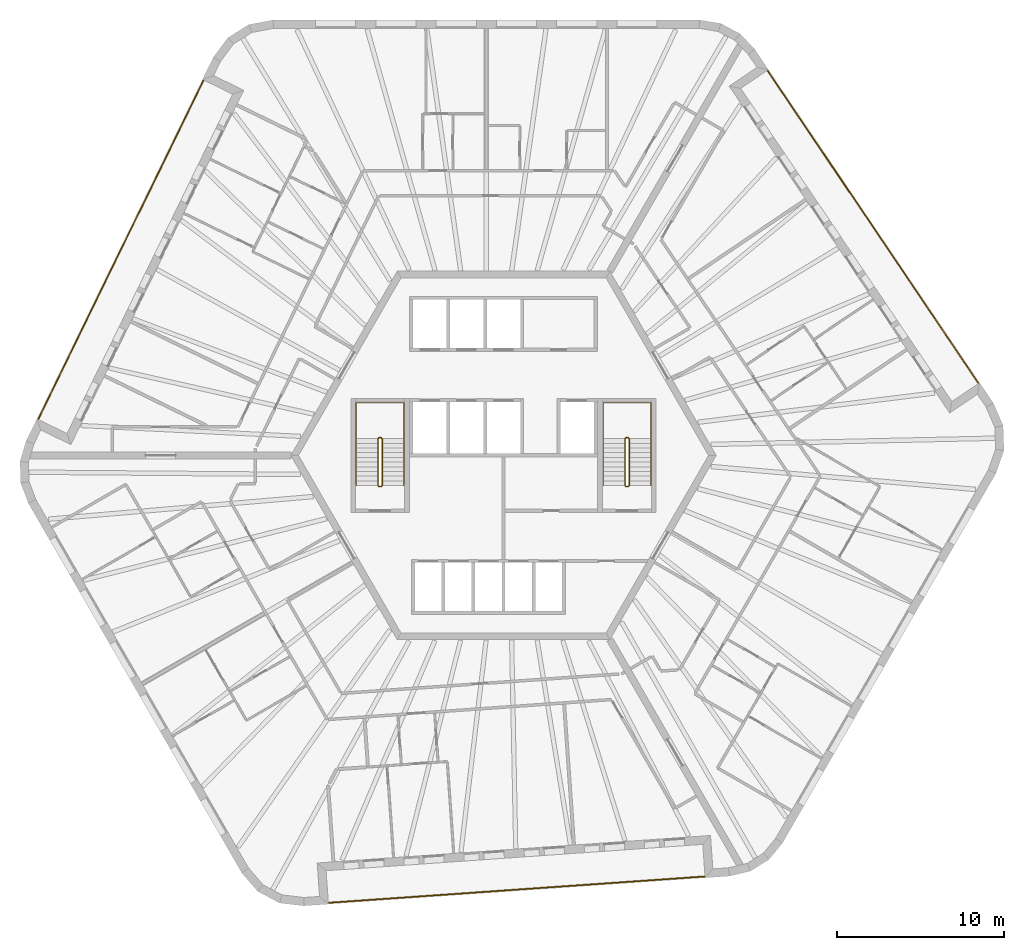
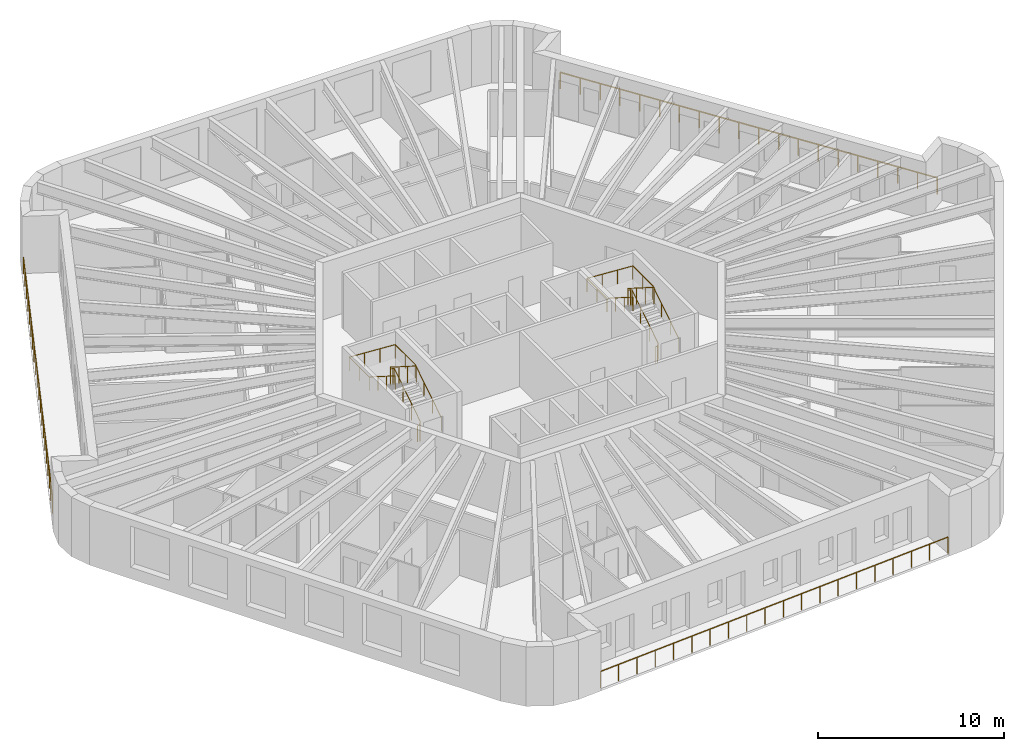
# One storey, part 12 of 12: 7 railings.
"""IFC4 building model written with IfcOpenShell, lengths in metres."""

import ifcopenshell
import ifcopenshell.guid

model = None  # the IFC model being written
_history = None  # IfcOwnerHistory: only IFC2X3 demands one
_inside = {}  # id of a spatial element -> (the spatial element, [elements in it])
_under = {}  # id of a project, library or spatial element -> (it, [spatial elements below it])
_declared = {}  # id of a project -> (the project, [libraries it declares])
_typed = {}  # id of a type object -> (the type object, [elements of that type])
_made_of = {}  # id of a material, layer set ... -> (it, [elements and type objects made of it])


def new_model(schema):
    """Start an empty IFC model of exactly this schema.

    Asked for "IFC4X3", IfcOpenShell would pick the latest addendum, in which some entities
    have other attributes; the version numbers below select the first issue.
    IFC2X3 requires an IfcOwnerHistory on every rooted entity: one is made here for all.
    """
    global model, _history
    if schema == "IFC4X3":
        model = ifcopenshell.file(schema_version=(4, 3, 0, 0))
    else:
        model = ifcopenshell.file(schema=schema)
    _inside.clear()
    _under.clear()
    _declared.clear()
    _typed.clear()
    _made_of.clear()
    _history = None
    if model.schema == "IFC2X3":
        org = make("IfcOrganization", Name="unknown")
        user = make(
            "IfcPersonAndOrganization",
            ThePerson=make("IfcPerson", FamilyName="unknown"),
            TheOrganization=org,
        )
        app = make(
            "IfcApplication",
            ApplicationDeveloper=org,
            Version="unknown",
            ApplicationFullName="unknown",
            ApplicationIdentifier="unknown",
        )
        _history = make(
            "IfcOwnerHistory",
            OwningUser=user,
            OwningApplication=app,
            ChangeAction="ADDED",
            CreationDate=0,
        )
    return model


def make(cls, **values):
    """One entity of the class cls with the attributes given. An attribute that is None is left unset."""
    return model.create_entity(
        cls, **{name: value for name, value in values.items() if value is not None}
    )


def rooted(cls, **values):
    """An entity with a GlobalId (a new one), such as an element, a storey or a relation."""
    return make(cls, GlobalId=ifcopenshell.guid.new(), OwnerHistory=_history, **values)


def si_unit(unit_type, name, prefix=None):
    """IfcSIUnit, for example si_unit("LENGTHUNIT", "METRE", prefix="MILLI")."""
    return make("IfcSIUnit", UnitType=unit_type, Prefix=prefix, Name=name)


def assignment(units):
    """IfcUnitAssignment: the units of a project."""
    return None if units is None else make("IfcUnitAssignment", Units=units)


def point(xyz):
    """IfcCartesianPoint."""
    return None if xyz is None else make("IfcCartesianPoint", Coordinates=xyz)


def direction(xyz):
    """IfcDirection."""
    return None if xyz is None else make("IfcDirection", DirectionRatios=xyz)


def frame(location, z_axis=None, x_axis=None):
    """IfcAxis2Placement3D, a coordinate frame: its origin and axes. An axis left out is left unset."""
    return make(
        "IfcAxis2Placement3D",
        Location=point(location),
        Axis=direction(z_axis),
        RefDirection=direction(x_axis),
    )


def frame_2d(location, x_axis=None):
    """IfcAxis2Placement2D, a coordinate frame in the plane: its origin and x axis."""
    return make(
        "IfcAxis2Placement2D", Location=point(location), RefDirection=direction(x_axis)
    )


def origin():
    """The frame at (0, 0, 0) with its axes left unset."""
    return frame((0.0, 0.0, 0.0))


def origin_2d():
    """The frame at (0, 0) in the plane with its x axis left unset."""
    return frame_2d((0.0, 0.0))


def place(relative_to, where):
    """IfcLocalPlacement: puts the frame where relative to a parent placement (None: the world)."""
    return make(
        "IfcLocalPlacement", PlacementRelTo=relative_to, RelativePlacement=where
    )


def context(
    kind, dimensions, precision=None, world=None, true_north=None, identifier=None
):
    """IfcGeometricRepresentationContext, for example the 3D "Model" context."""
    return make(
        "IfcGeometricRepresentationContext",
        ContextIdentifier=identifier,
        ContextType=kind,
        CoordinateSpaceDimension=dimensions,
        Precision=precision,
        WorldCoordinateSystem=world,
        TrueNorth=true_north,
    )


def subcontext(parent, identifier, kind, view, scale=None):
    """IfcGeometricRepresentationSubContext, for example "Body" below "Model"."""
    return make(
        "IfcGeometricRepresentationSubContext",
        ContextIdentifier=identifier,
        ContextType=kind,
        ParentContext=parent,
        TargetScale=scale,
        TargetView=view,
    )


def project(units=None, contexts=None):
    """IfcProject with its units and contexts."""
    return rooted(
        "IfcProject",
        Name="project",
        RepresentationContexts=contexts,
        UnitsInContext=assignment(units),
    )


def spatial(cls, under=None, at=None, **own):
    """A site, building, storey or space (cls), placed at a placement, below another one or the project."""
    s = rooted(cls, ObjectPlacement=at, **own)
    if under is not None:
        _under.setdefault(under.id(), (under, []))[1].append(s)
    return s


def profile(cls, at=None, kind="AREA", **sizes):
    """A parametric profile (cls). Its sizes go by their IFC names, for example OverallWidth=200.0."""
    return make(cls, ProfileType=kind, Position=at, **sizes)


def circle(**sizes):
    """IfcCircleProfileDef."""
    return profile("IfcCircleProfileDef", **sizes)


def extrude(swept, where, along, depth):
    """IfcExtrudedAreaSolid: the profile swept, set in the frame where, extruded along a direction by depth."""
    return make(
        "IfcExtrudedAreaSolid",
        SweptArea=swept,
        Position=where,
        ExtrudedDirection=direction(along),
        Depth=depth,
    )


def shape(context_of_items, identifier, shape_type, items):
    """IfcShapeRepresentation: the items that make up one representation, for example the "Body"."""
    return make(
        "IfcShapeRepresentation",
        ContextOfItems=context_of_items,
        RepresentationIdentifier=identifier,
        RepresentationType=shape_type,
        Items=items,
    )


def material(Name=None, Category=None):
    """IfcMaterial."""
    return make("IfcMaterial", Name=Name, Category=Category)


def made_of(thing, what):
    """Note that an element or type object is made of a material, layer set ...; save() writes the relation."""
    if what is not None:
        _made_of.setdefault(what.id(), (what, []))[1].append(thing)
    return thing


def type_object(cls, material=None, **own):
    """A type object (cls), such as IfcWallType, which elements share."""
    return made_of(rooted(cls, **own), material)


def element(
    cls,
    number,
    at=None,
    inside=None,
    cuts=None,
    type_object=None,
    material=None,
    context=None,
    identifier="Body",
    shape_type=None,
    held_by="IfcProductDefinitionShape",
    body=None,
    shapes=None,
    **own,
):
    """One element of the class cls, such as IfcWall. Its Tag is "e" and its number.

    at: its placement. inside: the storey or other place that contains it. cuts: it is an
    opening in that element (IfcRelVoidsElement). A single representation is given by context,
    identifier, shape_type and body (its items); several are given by shapes. held_by: the class
    of the entity that holds the representations. save() writes the other relations.
    """
    e = rooted(cls, Tag="e%d" % number, ObjectPlacement=at, **own)
    if body is not None:
        shapes = [shape(context, identifier, shape_type, body)]
    if shapes is not None:
        e.Representation = make(held_by, Representations=shapes)
    if inside is not None:
        _inside.setdefault(inside.id(), (inside, []))[1].append(e)
    if cuts is not None:
        rooted(
            "IfcRelVoidsElement", RelatingBuildingElement=cuts, RelatedOpeningElement=e
        )
    if type_object is not None:
        _typed.setdefault(type_object.id(), (type_object, []))[1].append(e)
    return made_of(e, material)


def aggregate(whole, parts):
    """IfcRelAggregates: a whole, such as a stair, and the parts it consists of."""
    return rooted("IfcRelAggregates", RelatingObject=whole, RelatedObjects=parts)


def save(model, path):
    """Write the relations noted so far, then the file.

    IfcRelAggregates (storeys below a building ...), IfcRelContainedInSpatialStructure (elements
    in a storey), IfcRelDefinesByType, IfcRelAssociatesMaterial and IfcRelDeclares: one each for
    every whole, place, type object, material and project.
    """
    for whole, parts in _under.values():
        aggregate(whole, parts)
    for where, things in _inside.values():
        rooted(
            "IfcRelContainedInSpatialStructure",
            RelatedElements=things,
            RelatingStructure=where,
        )
    for kind, things in _typed.values():
        rooted("IfcRelDefinesByType", RelatedObjects=things, RelatingType=kind)
    for what, things in _made_of.values():
        rooted("IfcRelAssociatesMaterial", RelatedObjects=things, RelatingMaterial=what)
    for by, libraries in _declared.values():
        rooted("IfcRelDeclares", RelatingContext=by, RelatedDefinitions=libraries)
    model.write(path)


model = new_model("IFC4")

# Units and contexts
model_context = context("Model", 3, precision=1e-05, world=origin(), true_north=direction((0.0, 1.0)))
body_context = subcontext(model_context, "Body", "Model", "MODEL_VIEW")
ifc_project = project(units=[si_unit("LENGTHUNIT", "METRE"), si_unit("AREAUNIT", "SQUARE_METRE"), si_unit("VOLUMEUNIT", "CUBIC_METRE"), si_unit("PLANEANGLEUNIT", "RADIAN"), si_unit("MASSUNIT", "GRAM", prefix="KILO")], contexts=[model_context])

# Site, building, storey
site_placement = place(None, origin())
site = spatial("IfcSite", under=ifc_project, at=site_placement, CompositionType="ELEMENT")
building_placement = place(site_placement, origin())
building = spatial("IfcBuilding", under=site, at=building_placement, Name="Tarnside Tower", CompositionType="ELEMENT")
storey_placement = place(building_placement, frame((0.0, 0.0, 295.199951171875)))
storey = spatial("IfcBuildingStorey", under=building, at=storey_placement, Name="L71", CompositionType="ELEMENT", Elevation=295.199951171875)

# Railings
ifc_material_1 = material(Name="Toughened glass", Category="glass")
railing_type_1 = type_object("IfcRailingType", Name="Glass guard 1100", PredefinedType="GUARDRAIL", material=ifc_material_1)
railing_1_placement = place(storey_placement, frame((-17.906005859375, 22.415283203125, 0.0)))
element("IfcRailing", 1, at=railing_1_placement, inside=storey, type_object=railing_type_1, Name="Loggia guard L71 F2", PredefinedType="GUARDRAIL", context=body_context, shape_type="SweptSolid", body=[
    extrude(circle(Radius=0.030029296875, at=origin_2d()), frame((0.0, 0.0, 1.070068359375), z_axis=(-0.438372639335, -0.898793318335, 0.0), x_axis=(0.898793318335, -0.438372639335, 0.0)), (0.0, 0.0, 1.0), 22.544921875),
    extrude(circle(Radius=0.02490234375, at=origin_2d()), origin(), (0.0, 0.0, 1.0), 1.0400390625),
    extrude(circle(Radius=0.02490234375, at=origin_2d()), frame((-0.520263671875, -1.06640625, 0.0)), (0.0, 0.0, 1.0), 1.0400390625),
    extrude(circle(Radius=0.02490234375, at=origin_2d()), frame((-1.040283203125, -2.133056640625, 0.0)), (0.0, 0.0, 1.0), 1.0400390625),
    extrude(circle(Radius=0.02490234375, at=origin_2d()), frame((-1.560546875, -3.199462890625, 0.0)), (0.0, 0.0, 1.0), 1.0400390625),
    extrude(circle(Radius=0.02490234375, at=origin_2d()), frame((-2.08056640625, -4.265869140625, 0.0)), (0.0, 0.0, 1.0), 1.0400390625),
    extrude(circle(Radius=0.02490234375, at=origin_2d()), frame((-2.600830078125, -5.33251953125, 0.0)), (0.0, 0.0, 1.0), 1.0400390625),
    extrude(circle(Radius=0.02490234375, at=origin_2d()), frame((-3.120849609375, -6.39892578125, 0.0)), (0.0, 0.0, 1.0), 1.0400390625),
    extrude(circle(Radius=0.02490234375, at=origin_2d()), frame((-3.64111328125, -7.46533203125, 0.0)), (0.0, 0.0, 1.0), 1.0400390625),
    extrude(circle(Radius=0.02490234375, at=origin_2d()), frame((-4.161376953125, -8.531982421875, 0.0)), (0.0, 0.0, 1.0), 1.0400390625),
    extrude(circle(Radius=0.02490234375, at=origin_2d()), frame((-4.681396484375, -9.598388671875, 0.0)), (0.0, 0.0, 1.0), 1.0400390625),
    extrude(circle(Radius=0.02490234375, at=origin_2d()), frame((-5.20166015625, -10.664794921875, 0.0)), (0.0, 0.0, 1.0), 1.0400390625),
    extrude(circle(Radius=0.02490234375, at=origin_2d()), frame((-5.7216796875, -11.731201171875, 0.0)), (0.0, 0.0, 1.0), 1.0400390625),
    extrude(circle(Radius=0.02490234375, at=origin_2d()), frame((-6.241943359375, -12.7978515625, 0.0)), (0.0, 0.0, 1.0), 1.0400390625),
    extrude(circle(Radius=0.02490234375, at=origin_2d()), frame((-6.76220703125, -13.8642578125, 0.0)), (0.0, 0.0, 1.0), 1.0400390625),
    extrude(circle(Radius=0.02490234375, at=origin_2d()), frame((-7.2822265625, -14.9306640625, 0.0)), (0.0, 0.0, 1.0), 1.0400390625),
    extrude(circle(Radius=0.02490234375, at=origin_2d()), frame((-7.802490234375, -15.997314453125, 0.0)), (0.0, 0.0, 1.0), 1.0400390625),
    extrude(circle(Radius=0.02490234375, at=origin_2d()), frame((-8.322509765625, -17.063720703125, 0.0)), (0.0, 0.0, 1.0), 1.0400390625),
    extrude(circle(Radius=0.02490234375, at=origin_2d()), frame((-8.8427734375, -18.130126953125, 0.0)), (0.0, 0.0, 1.0), 1.0400390625),
    extrude(circle(Radius=0.02490234375, at=origin_2d()), frame((-9.36279296875, -19.19677734375, 0.0)), (0.0, 0.0, 1.0), 1.0400390625),
    extrude(circle(Radius=0.02490234375, at=origin_2d()), frame((-9.883056640625, -20.26318359375, 0.0)), (0.0, 0.0, 1.0), 1.0400390625),
])
railing_2_placement = place(storey_placement, frame((-10.458984375, -26.714599609375, 0.0)))
element("IfcRailing", 2, at=railing_2_placement, inside=storey, type_object=railing_type_1, Name="Loggia guard L71 F4", PredefinedType="GUARDRAIL", context=body_context, shape_type="SweptSolid", body=[
    extrude(circle(Radius=0.030029296875, at=origin_2d()), frame((0.0, 0.0, 1.070068359375), z_axis=(0.997564440639, 0.069750890837, 0.0), x_axis=(-0.069750890837, 0.997564440639, 0.0)), (0.0, 0.0, 1.0), 22.544677734375),
    extrude(circle(Radius=0.02490234375, at=origin_2d()), origin(), (0.0, 0.0, 1.0), 1.0400390625),
    extrude(circle(Radius=0.02490234375, at=origin_2d()), frame((1.18359375, 0.082763671875, 0.0)), (0.0, 0.0, 1.0), 1.0400390625),
    extrude(circle(Radius=0.02490234375, at=origin_2d()), frame((2.367431640625, 0.16552734375, 0.0)), (0.0, 0.0, 1.0), 1.0400390625),
    extrude(circle(Radius=0.02490234375, at=origin_2d()), frame((3.551025390625, 0.248291015625, 0.0)), (0.0, 0.0, 1.0), 1.0400390625),
    extrude(circle(Radius=0.02490234375, at=origin_2d()), frame((4.734619140625, 0.3310546875, 0.0)), (0.0, 0.0, 1.0), 1.0400390625),
    extrude(circle(Radius=0.02490234375, at=origin_2d()), frame((5.91845703125, 0.413818359375, 0.0)), (0.0, 0.0, 1.0), 1.0400390625),
    extrude(circle(Radius=0.02490234375, at=origin_2d()), frame((7.10205078125, 0.49658203125, 0.0)), (0.0, 0.0, 1.0), 1.0400390625),
    extrude(circle(Radius=0.02490234375, at=origin_2d()), frame((8.28564453125, 0.579345703125, 0.0)), (0.0, 0.0, 1.0), 1.0400390625),
    extrude(circle(Radius=0.02490234375, at=origin_2d()), frame((9.469482421875, 0.662109375, 0.0)), (0.0, 0.0, 1.0), 1.0400390625),
    extrude(circle(Radius=0.02490234375, at=origin_2d()), frame((10.653076171875, 0.744873046875, 0.0)), (0.0, 0.0, 1.0), 1.0400390625),
    extrude(circle(Radius=0.02490234375, at=origin_2d()), frame((11.836669921875, 0.82763671875, 0.0)), (0.0, 0.0, 1.0), 1.0400390625),
    extrude(circle(Radius=0.02490234375, at=origin_2d()), frame((13.020263671875, 0.910400390625, 0.0)), (0.0, 0.0, 1.0), 1.0400390625),
    extrude(circle(Radius=0.02490234375, at=origin_2d()), frame((14.2041015625, 0.9931640625, 0.0)), (0.0, 0.0, 1.0), 1.0400390625),
    extrude(circle(Radius=0.02490234375, at=origin_2d()), frame((15.3876953125, 1.075927734375, 0.0)), (0.0, 0.0, 1.0), 1.0400390625),
    extrude(circle(Radius=0.02490234375, at=origin_2d()), frame((16.5712890625, 1.15869140625, 0.0)), (0.0, 0.0, 1.0), 1.0400390625),
    extrude(circle(Radius=0.02490234375, at=origin_2d()), frame((17.755126953125, 1.241455078125, 0.0)), (0.0, 0.0, 1.0), 1.0400390625),
    extrude(circle(Radius=0.02490234375, at=origin_2d()), frame((18.938720703125, 1.32421875, 0.0)), (0.0, 0.0, 1.0), 1.0400390625),
    extrude(circle(Radius=0.02490234375, at=origin_2d()), frame((20.122314453125, 1.406982421875, 0.0)), (0.0, 0.0, 1.0), 1.0400390625),
    extrude(circle(Radius=0.02490234375, at=origin_2d()), frame((21.30615234375, 1.48974609375, 0.0)), (0.0, 0.0, 1.0), 1.0400390625),
    extrude(circle(Radius=0.02490234375, at=origin_2d()), frame((22.48974609375, 1.572509765625, 0.0)), (0.0, 0.0, 1.0), 1.0400390625),
])
railing_3_placement = place(storey_placement, frame((28.365234375, 4.299560546875, 0.0)))
element("IfcRailing", 3, at=railing_3_placement, inside=storey, type_object=railing_type_1, Name="Loggia guard L71 F6", PredefinedType="GUARDRAIL", context=body_context, shape_type="SweptSolid", body=[
    extrude(circle(Radius=0.030029296875, at=origin_2d()), frame((0.0, 0.0, 1.070068359375), z_axis=(-0.559195329741, 0.82903593601, 0.0), x_axis=(-0.82903593601, -0.559195329741, 0.0)), (0.0, 0.0, 1.0), 22.544677734375),
    extrude(circle(Radius=0.02490234375, at=origin_2d()), origin(), (0.0, 0.0, 1.0), 1.0400390625),
    extrude(circle(Radius=0.02490234375, at=origin_2d()), frame((-0.66357421875, 0.983642578125, 0.0)), (0.0, 0.0, 1.0), 1.0400390625),
    extrude(circle(Radius=0.02490234375, at=origin_2d()), frame((-1.3271484375, 1.967529296875, 0.0)), (0.0, 0.0, 1.0), 1.0400390625),
    extrude(circle(Radius=0.02490234375, at=origin_2d()), frame((-1.990478515625, 2.951171875, 0.0)), (0.0, 0.0, 1.0), 1.0400390625),
    extrude(circle(Radius=0.02490234375, at=origin_2d()), frame((-2.654052734375, 3.934814453125, 0.0)), (0.0, 0.0, 1.0), 1.0400390625),
    extrude(circle(Radius=0.02490234375, at=origin_2d()), frame((-3.317626953125, 4.91845703125, 0.0)), (0.0, 0.0, 1.0), 1.0400390625),
    extrude(circle(Radius=0.02490234375, at=origin_2d()), frame((-3.981201171875, 5.90234375, 0.0)), (0.0, 0.0, 1.0), 1.0400390625),
    extrude(circle(Radius=0.02490234375, at=origin_2d()), frame((-4.644775390625, 6.885986328125, 0.0)), (0.0, 0.0, 1.0), 1.0400390625),
    extrude(circle(Radius=0.02490234375, at=origin_2d()), frame((-5.30810546875, 7.86962890625, 0.0)), (0.0, 0.0, 1.0), 1.0400390625),
    extrude(circle(Radius=0.02490234375, at=origin_2d()), frame((-5.9716796875, 8.853271484375, 0.0)), (0.0, 0.0, 1.0), 1.0400390625),
    extrude(circle(Radius=0.02490234375, at=origin_2d()), frame((-6.63525390625, 9.837158203125, 0.0)), (0.0, 0.0, 1.0), 1.0400390625),
    extrude(circle(Radius=0.02490234375, at=origin_2d()), frame((-7.298828125, 10.82080078125, 0.0)), (0.0, 0.0, 1.0), 1.0400390625),
    extrude(circle(Radius=0.02490234375, at=origin_2d()), frame((-7.962158203125, 11.804443359375, 0.0)), (0.0, 0.0, 1.0), 1.0400390625),
    extrude(circle(Radius=0.02490234375, at=origin_2d()), frame((-8.625732421875, 12.7880859375, 0.0)), (0.0, 0.0, 1.0), 1.0400390625),
    extrude(circle(Radius=0.02490234375, at=origin_2d()), frame((-9.289306640625, 13.77197265625, 0.0)), (0.0, 0.0, 1.0), 1.0400390625),
    extrude(circle(Radius=0.02490234375, at=origin_2d()), frame((-9.952880859375, 14.755615234375, 0.0)), (0.0, 0.0, 1.0), 1.0400390625),
    extrude(circle(Radius=0.02490234375, at=origin_2d()), frame((-10.616455078125, 15.7392578125, 0.0)), (0.0, 0.0, 1.0), 1.0400390625),
    extrude(circle(Radius=0.02490234375, at=origin_2d()), frame((-11.27978515625, 16.722900390625, 0.0)), (0.0, 0.0, 1.0), 1.0400390625),
    extrude(circle(Radius=0.02490234375, at=origin_2d()), frame((-11.943359375, 17.706787109375, 0.0)), (0.0, 0.0, 1.0), 1.0400390625),
    extrude(circle(Radius=0.02490234375, at=origin_2d()), frame((-12.60693359375, 18.6904296875, 0.0)), (0.0, 0.0, 1.0), 1.0400390625),
])
ifc_material_2 = material(Name="Stainless steel", Category="steel")
railing_type_2 = type_object("IfcRailingType", Name="Stair guard 1100", PredefinedType="GUARDRAIL", material=ifc_material_2)
railing_4_placement = place(storey_placement, frame((7.300048828125, -1.85009765625, 0.0)))
element("IfcRailing", 4, at=railing_4_placement, inside=storey, type_object=railing_type_2, Name="L71 ST1 stair guard 1", PredefinedType="GUARDRAIL", context=body_context, shape_type="SweptSolid", body=[
    extrude(circle(Radius=0.02392578125, at=origin_2d()), frame((0.0, 0.0, 1.076171875), z_axis=(1.0, 0.0, 0.0), x_axis=(0.0, 1.0, 0.0)), (0.0, 0.0, 1.0), 0.14990234375),
    extrude(circle(Radius=0.02392578125, at=origin_2d()), frame((0.14990234375, 0.0, 1.076171875), z_axis=(0.262233686654, 0.262233686654, 0.928691007369), x_axis=(-0.707106781187, 0.707106781187, 0.0)), (0.0, 0.0, 1.0), 0.19091796875),
    extrude(circle(Radius=0.02392578125, at=origin_2d()), frame((0.199951171875, 0.050048828125, 1.25341796875), z_axis=(0.0, 0.844908973607, 0.534910110503), x_axis=(-1.0, 0.0, 0.0)), (0.0, 0.0, 1.0), 3.31396484375),
    extrude(circle(Radius=0.02392578125, at=origin_2d()), frame((0.199951171875, 2.85009765625, 3.02587890625), z_axis=(-0.707106781187, 0.707106781187, 0.0), x_axis=(-0.707106781187, -0.707106781187, 0.0)), (0.0, 0.0, 1.0), 0.07080078125),
    extrude(circle(Radius=0.02392578125, at=origin_2d()), frame((0.14990234375, 2.900146484375, 3.02587890625), z_axis=(-1.0, 0.0, 0.0), x_axis=(0.0, -1.0, 0.0)), (0.0, 0.0, 1.0), 0.14990234375),
    extrude(circle(Radius=0.02392578125, at=origin_2d()), frame((0.0, 2.900146484375, 3.02587890625), z_axis=(-0.261922500866, -0.261922500866, 0.928866625022), x_axis=(0.707106781187, -0.707106781187, 0.0)), (0.0, 0.0, 1.0), 0.191162109375),
    extrude(circle(Radius=0.02392578125, at=origin_2d()), frame((-0.050048828125, 2.85009765625, 3.20361328125), z_axis=(0.0, -0.844908973607, 0.534910110503), x_axis=(1.0, 0.0, 0.0)), (0.0, 0.0, 1.0), 3.31396484375),
    extrude(circle(Radius=0.02099609375, at=origin_2d()), origin(), (0.0, 0.0, 1.0), 1.052001953125),
    extrude(circle(Radius=0.02099609375, at=origin_2d()), frame((0.14990234375, 0.0, 0.0)), (0.0, 0.0, 1.0), 1.052001953125),
    extrude(circle(Radius=0.02099609375, at=origin_2d()), frame((0.199951171875, 0.050048828125, 0.17724609375)), (0.0, 0.0, 1.0), 1.052001953125),
    extrude(circle(Radius=0.02099609375, at=origin_2d()), frame((0.199951171875, 0.9833984375, 0.76806640625)), (0.0, 0.0, 1.0), 1.052001953125),
    extrude(circle(Radius=0.02099609375, at=origin_2d()), frame((0.199951171875, 1.916748046875, 1.359130859375)), (0.0, 0.0, 1.0), 1.052001953125),
    extrude(circle(Radius=0.02099609375, at=origin_2d()), frame((0.199951171875, 2.85009765625, 1.949951171875)), (0.0, 0.0, 1.0), 1.052001953125),
    extrude(circle(Radius=0.02099609375, at=origin_2d()), frame((0.14990234375, 2.900146484375, 1.949951171875)), (0.0, 0.0, 1.0), 1.052001953125),
    extrude(circle(Radius=0.02099609375, at=origin_2d()), frame((0.0, 2.900146484375, 1.949951171875)), (0.0, 0.0, 1.0), 1.052001953125),
    extrude(circle(Radius=0.02099609375, at=origin_2d()), frame((-0.050048828125, 2.85009765625, 2.12744140625)), (0.0, 0.0, 1.0), 1.052001953125),
    extrude(circle(Radius=0.02099609375, at=origin_2d()), frame((-0.050048828125, 1.916748046875, 2.71826171875)), (0.0, 0.0, 1.0), 1.052001953125),
    extrude(circle(Radius=0.02099609375, at=origin_2d()), frame((-0.050048828125, 0.9833984375, 3.309326171875)), (0.0, 0.0, 1.0), 1.052001953125),
    extrude(circle(Radius=0.02099609375, at=origin_2d()), frame((-0.050048828125, 0.050048828125, 3.900146484375)), (0.0, 0.0, 1.0), 1.052001953125),
])
railing_5_placement = place(storey_placement, frame((-7.449951171875, -1.85009765625, 0.0)))
element("IfcRailing", 5, at=railing_5_placement, inside=storey, type_object=railing_type_2, Name="L71 ST2 stair guard 1", PredefinedType="GUARDRAIL", context=body_context, shape_type="SweptSolid", body=[
    extrude(circle(Radius=0.02392578125, at=origin_2d()), frame((0.0, 0.0, 1.076171875), z_axis=(1.0, 0.0, 0.0), x_axis=(0.0, 1.0, 0.0)), (0.0, 0.0, 1.0), 0.14990234375),
    extrude(circle(Radius=0.02392578125, at=origin_2d()), frame((0.14990234375, 0.0, 1.076171875), z_axis=(0.262233686654, 0.262233686654, 0.928691007369), x_axis=(-0.707106781187, 0.707106781187, 0.0)), (0.0, 0.0, 1.0), 0.19091796875),
    extrude(circle(Radius=0.02392578125, at=origin_2d()), frame((0.199951171875, 0.050048828125, 1.25341796875), z_axis=(0.0, 0.844908973607, 0.534910110503), x_axis=(-1.0, 0.0, 0.0)), (0.0, 0.0, 1.0), 3.31396484375),
    extrude(circle(Radius=0.02392578125, at=origin_2d()), frame((0.199951171875, 2.85009765625, 3.02587890625), z_axis=(-0.707106781187, 0.707106781187, 0.0), x_axis=(-0.707106781187, -0.707106781187, 0.0)), (0.0, 0.0, 1.0), 0.07080078125),
    extrude(circle(Radius=0.02392578125, at=origin_2d()), frame((0.14990234375, 2.900146484375, 3.02587890625), z_axis=(-1.0, 0.0, 0.0), x_axis=(0.0, -1.0, 0.0)), (0.0, 0.0, 1.0), 0.14990234375),
    extrude(circle(Radius=0.02392578125, at=origin_2d()), frame((0.0, 2.900146484375, 3.02587890625), z_axis=(-0.261922500866, -0.261922500866, 0.928866625022), x_axis=(0.707106781187, -0.707106781187, 0.0)), (0.0, 0.0, 1.0), 0.191162109375),
    extrude(circle(Radius=0.02392578125, at=origin_2d()), frame((-0.050048828125, 2.85009765625, 3.20361328125), z_axis=(0.0, -0.844908973607, 0.534910110503), x_axis=(1.0, 0.0, 0.0)), (0.0, 0.0, 1.0), 3.31396484375),
    extrude(circle(Radius=0.02099609375, at=origin_2d()), origin(), (0.0, 0.0, 1.0), 1.052001953125),
    extrude(circle(Radius=0.02099609375, at=origin_2d()), frame((0.14990234375, 0.0, 0.0)), (0.0, 0.0, 1.0), 1.052001953125),
    extrude(circle(Radius=0.02099609375, at=origin_2d()), frame((0.199951171875, 0.050048828125, 0.17724609375)), (0.0, 0.0, 1.0), 1.052001953125),
    extrude(circle(Radius=0.02099609375, at=origin_2d()), frame((0.199951171875, 0.9833984375, 0.76806640625)), (0.0, 0.0, 1.0), 1.052001953125),
    extrude(circle(Radius=0.02099609375, at=origin_2d()), frame((0.199951171875, 1.916748046875, 1.359130859375)), (0.0, 0.0, 1.0), 1.052001953125),
    extrude(circle(Radius=0.02099609375, at=origin_2d()), frame((0.199951171875, 2.85009765625, 1.949951171875)), (0.0, 0.0, 1.0), 1.052001953125),
    extrude(circle(Radius=0.02099609375, at=origin_2d()), frame((0.14990234375, 2.900146484375, 1.949951171875)), (0.0, 0.0, 1.0), 1.052001953125),
    extrude(circle(Radius=0.02099609375, at=origin_2d()), frame((0.0, 2.900146484375, 1.949951171875)), (0.0, 0.0, 1.0), 1.052001953125),
    extrude(circle(Radius=0.02099609375, at=origin_2d()), frame((-0.050048828125, 2.85009765625, 2.12744140625)), (0.0, 0.0, 1.0), 1.052001953125),
    extrude(circle(Radius=0.02099609375, at=origin_2d()), frame((-0.050048828125, 1.916748046875, 2.71826171875)), (0.0, 0.0, 1.0), 1.052001953125),
    extrude(circle(Radius=0.02099609375, at=origin_2d()), frame((-0.050048828125, 0.9833984375, 3.309326171875)), (0.0, 0.0, 1.0), 1.052001953125),
    extrude(circle(Radius=0.02099609375, at=origin_2d()), frame((-0.050048828125, 0.050048828125, 3.900146484375)), (0.0, 0.0, 1.0), 1.052001953125),
])
railing_type_3 = type_object("IfcRailingType", Name="Stair handrail 900", PredefinedType="HANDRAIL", material=ifc_material_2)
railing_6_placement = place(storey_placement, frame((8.800048828125, -1.800048828125, 0.17724609375)))
element("IfcRailing", 6, at=railing_6_placement, inside=storey, type_object=railing_type_3, Name="L71 ST1 stair handrail 1", PredefinedType="HANDRAIL", context=body_context, shape_type="SweptSolid", body=[
    extrude(circle(Radius=0.02392578125, at=origin_2d()), frame((0.0, 0.0, 0.8857421875), z_axis=(0.0, 0.844908973607, 0.534910110503), x_axis=(-1.0, 0.0, 0.0)), (0.0, 0.0, 1.0), 3.31396484375),
    extrude(circle(Radius=0.02392578125, at=origin_2d()), frame((0.0, 2.800048828125, 2.65869140625), z_axis=(0.0, 1.0, 0.0), x_axis=(-1.0, 0.0, 0.0)), (0.0, 0.0, 1.0), 2.14990234375),
    extrude(circle(Radius=0.02392578125, at=origin_2d()), frame((0.0, 4.949951171875, 2.65869140625), z_axis=(-0.998066525363, 0.0, 0.062154733933), x_axis=(0.0, -1.0, 0.0)), (0.0, 0.0, 1.0), 2.855712890625),
    extrude(circle(Radius=0.02392578125, at=origin_2d()), frame((-2.85009765625, 4.949951171875, 2.8359375), z_axis=(0.0, -1.0, 0.0), x_axis=(1.0, 0.0, 0.0)), (0.0, 0.0, 1.0), 2.14990234375),
    extrude(circle(Radius=0.02392578125, at=origin_2d()), frame((-2.85009765625, 2.800048828125, 2.8359375), z_axis=(0.0, -0.844908973607, 0.534910110503), x_axis=(1.0, 0.0, 0.0)), (0.0, 0.0, 1.0), 3.31396484375),
    extrude(circle(Radius=0.02099609375, at=origin_2d()), origin(), (0.0, 0.0, 1.0), 0.86181640625),
    extrude(circle(Radius=0.02099609375, at=origin_2d()), frame((0.0, 0.933349609375, 0.5908203125)), (0.0, 0.0, 1.0), 0.86181640625),
    extrude(circle(Radius=0.02099609375, at=origin_2d()), frame((0.0, 1.86669921875, 1.181884765625)), (0.0, 0.0, 1.0), 0.86181640625),
    extrude(circle(Radius=0.02099609375, at=origin_2d()), frame((0.0, 2.800048828125, 1.772705078125)), (0.0, 0.0, 1.0), 0.86181640625),
    extrude(circle(Radius=0.02099609375, at=origin_2d()), frame((0.0, 3.875, 1.772705078125)), (0.0, 0.0, 1.0), 0.86181640625),
    extrude(circle(Radius=0.02099609375, at=origin_2d()), frame((0.0, 4.949951171875, 1.772705078125)), (0.0, 0.0, 1.0), 0.86181640625),
    extrude(circle(Radius=0.02099609375, at=origin_2d()), frame((-0.949951171875, 4.949951171875, 1.831787109375)), (0.0, 0.0, 1.0), 0.86181640625),
    extrude(circle(Radius=0.02099609375, at=origin_2d()), frame((-1.900146484375, 4.949951171875, 1.89111328125)), (0.0, 0.0, 1.0), 0.86181640625),
    extrude(circle(Radius=0.02099609375, at=origin_2d()), frame((-2.85009765625, 4.949951171875, 1.9501953125)), (0.0, 0.0, 1.0), 0.86181640625),
    extrude(circle(Radius=0.02099609375, at=origin_2d()), frame((-2.85009765625, 3.875, 1.9501953125)), (0.0, 0.0, 1.0), 0.86181640625),
    extrude(circle(Radius=0.02099609375, at=origin_2d()), frame((-2.85009765625, 2.800048828125, 1.9501953125)), (0.0, 0.0, 1.0), 0.86181640625),
    extrude(circle(Radius=0.02099609375, at=origin_2d()), frame((-2.85009765625, 1.86669921875, 2.541015625)), (0.0, 0.0, 1.0), 0.86181640625),
    extrude(circle(Radius=0.02099609375, at=origin_2d()), frame((-2.85009765625, 0.933349609375, 3.132080078125)), (0.0, 0.0, 1.0), 0.86181640625),
    extrude(circle(Radius=0.02099609375, at=origin_2d()), frame((-2.85009765625, 0.0, 3.722900390625)), (0.0, 0.0, 1.0), 0.86181640625),
])
railing_7_placement = place(storey_placement, frame((-5.949951171875, -1.800048828125, 0.17724609375)))
element("IfcRailing", 7, at=railing_7_placement, inside=storey, type_object=railing_type_3, Name="L71 ST2 stair handrail 1", PredefinedType="HANDRAIL", context=body_context, shape_type="SweptSolid", body=[
    extrude(circle(Radius=0.02392578125, at=origin_2d()), frame((0.0, 0.0, 0.8857421875), z_axis=(0.0, 0.844908973607, 0.534910110503), x_axis=(-1.0, 0.0, 0.0)), (0.0, 0.0, 1.0), 3.31396484375),
    extrude(circle(Radius=0.02392578125, at=origin_2d()), frame((0.0, 2.800048828125, 2.65869140625), z_axis=(0.0, 1.0, 0.0), x_axis=(-1.0, 0.0, 0.0)), (0.0, 0.0, 1.0), 2.14990234375),
    extrude(circle(Radius=0.02392578125, at=origin_2d()), frame((0.0, 4.949951171875, 2.65869140625), z_axis=(-0.998066525363, 0.0, 0.062154733933), x_axis=(0.0, -1.0, 0.0)), (0.0, 0.0, 1.0), 2.855712890625),
    extrude(circle(Radius=0.02392578125, at=origin_2d()), frame((-2.85009765625, 4.949951171875, 2.8359375), z_axis=(0.0, -1.0, 0.0), x_axis=(1.0, 0.0, 0.0)), (0.0, 0.0, 1.0), 2.14990234375),
    extrude(circle(Radius=0.02392578125, at=origin_2d()), frame((-2.85009765625, 2.800048828125, 2.8359375), z_axis=(0.0, -0.844908973607, 0.534910110503), x_axis=(1.0, 0.0, 0.0)), (0.0, 0.0, 1.0), 3.31396484375),
    extrude(circle(Radius=0.02099609375, at=origin_2d()), origin(), (0.0, 0.0, 1.0), 0.86181640625),
    extrude(circle(Radius=0.02099609375, at=origin_2d()), frame((0.0, 0.933349609375, 0.5908203125)), (0.0, 0.0, 1.0), 0.86181640625),
    extrude(circle(Radius=0.02099609375, at=origin_2d()), frame((0.0, 1.86669921875, 1.181884765625)), (0.0, 0.0, 1.0), 0.86181640625),
    extrude(circle(Radius=0.02099609375, at=origin_2d()), frame((0.0, 2.800048828125, 1.772705078125)), (0.0, 0.0, 1.0), 0.86181640625),
    extrude(circle(Radius=0.02099609375, at=origin_2d()), frame((0.0, 3.875, 1.772705078125)), (0.0, 0.0, 1.0), 0.86181640625),
    extrude(circle(Radius=0.02099609375, at=origin_2d()), frame((0.0, 4.949951171875, 1.772705078125)), (0.0, 0.0, 1.0), 0.86181640625),
    extrude(circle(Radius=0.02099609375, at=origin_2d()), frame((-0.949951171875, 4.949951171875, 1.831787109375)), (0.0, 0.0, 1.0), 0.86181640625),
    extrude(circle(Radius=0.02099609375, at=origin_2d()), frame((-1.900146484375, 4.949951171875, 1.89111328125)), (0.0, 0.0, 1.0), 0.86181640625),
    extrude(circle(Radius=0.02099609375, at=origin_2d()), frame((-2.85009765625, 4.949951171875, 1.9501953125)), (0.0, 0.0, 1.0), 0.86181640625),
    extrude(circle(Radius=0.02099609375, at=origin_2d()), frame((-2.85009765625, 3.875, 1.9501953125)), (0.0, 0.0, 1.0), 0.86181640625),
    extrude(circle(Radius=0.02099609375, at=origin_2d()), frame((-2.85009765625, 2.800048828125, 1.9501953125)), (0.0, 0.0, 1.0), 0.86181640625),
    extrude(circle(Radius=0.02099609375, at=origin_2d()), frame((-2.85009765625, 1.86669921875, 2.541015625)), (0.0, 0.0, 1.0), 0.86181640625),
    extrude(circle(Radius=0.02099609375, at=origin_2d()), frame((-2.85009765625, 0.933349609375, 3.132080078125)), (0.0, 0.0, 1.0), 0.86181640625),
    extrude(circle(Radius=0.02099609375, at=origin_2d()), frame((-2.85009765625, 0.0, 3.722900390625)), (0.0, 0.0, 1.0), 0.86181640625),
])

save(model, "model.ifc")
